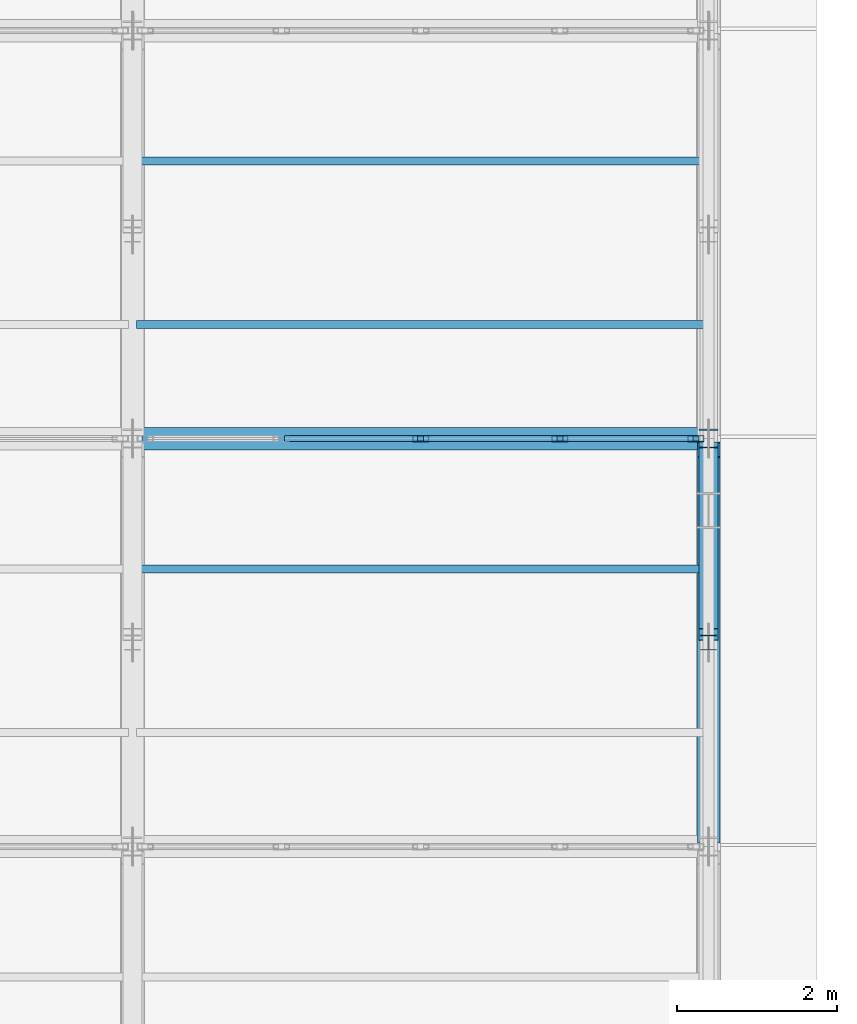
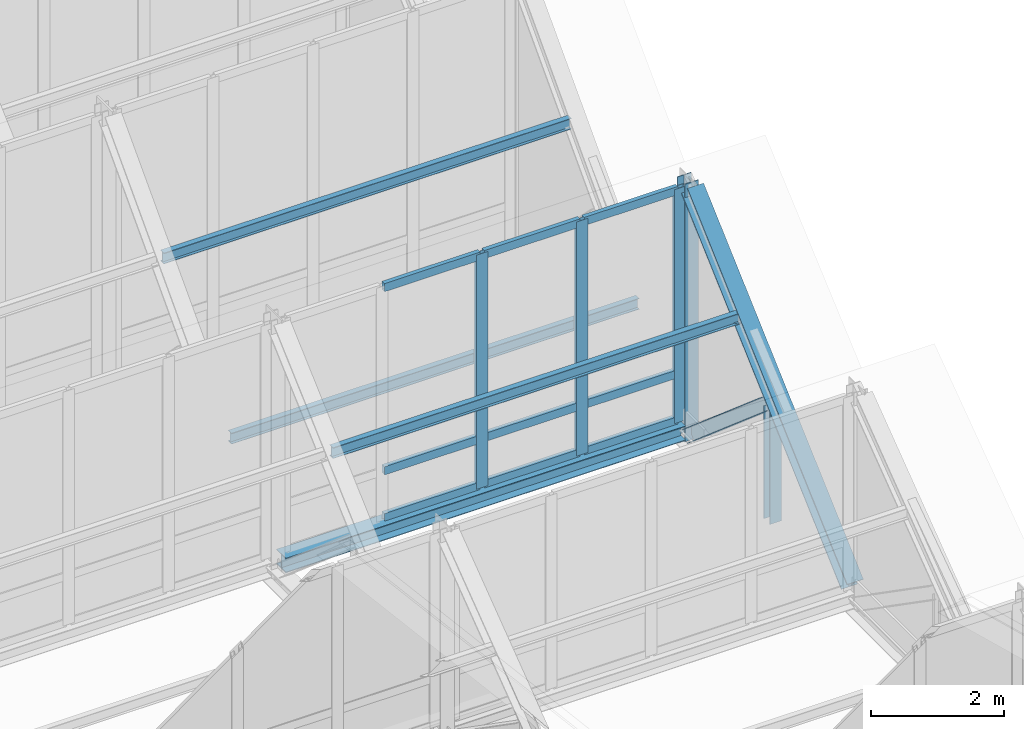
# One storey, part 65 of 157: 19 members, 1 beam, 1 element without a shape of its own.
"""IFC4 building model written with IfcOpenShell, lengths in metres."""

from ifc_helpers import new_model, si_unit, direction, frame, origin, origin_2d, place, context, subcontext, project, spatial, hollow_rectangle, i_section, extrude, material, material_profile, profile_set, type_object, element, aggregate, save


model = new_model("IFC4")

# Units and contexts
model_context = context("Model", 3, precision=1e-05, world=origin(), true_north=direction((0.0, 1.0)))
body_context = subcontext(model_context, "Body", "Model", "MODEL_VIEW")
ifc_project = project(units=[si_unit("LENGTHUNIT", "METRE"), si_unit("AREAUNIT", "SQUARE_METRE"), si_unit("VOLUMEUNIT", "CUBIC_METRE"), si_unit("PLANEANGLEUNIT", "RADIAN"), si_unit("MASSUNIT", "GRAM", prefix="KILO")], contexts=[model_context])

# Site, building, storey
site_placement = place(None, origin())
site = spatial("IfcSite", under=ifc_project, at=site_placement, CompositionType="ELEMENT")
building_placement = place(site_placement, origin())
building = spatial("IfcBuilding", under=site, at=building_placement, Name="Suanplinth Sawtooth Commons", CompositionType="ELEMENT")
storey_placement = place(building_placement, frame((0.0, 0.0, 9.0)))
storey = spatial("IfcBuildingStorey", under=building, at=storey_placement, Name="L02", CompositionType="ELEMENT", Elevation=9.0)

# Beam
ifc_material_1 = material(Name="Steel S355JR", Category="steel")
ifc_material_profile_1 = material_profile(ifc_material_1, i_section(OverallWidth=0.280029296875, OverallDepth=0.27001953125, WebThickness=0.008056640625, FlangeThickness=0.012939453125, at=origin_2d()), Name="HEA 280")
ifc_profile_set_1 = profile_set([ifc_material_profile_1], Name="Steel S355JR")
beam_type = type_object("IfcBeamType", Name="B-16", PredefinedType="USERDEFINED", material=ifc_profile_set_1)
beam_placement = place(storey_placement, frame((108.1201171875, 65.699951171875, 2.820068359375), z_axis=(1.0, 0.0, 0.0), x_axis=(0.0, 1.0, 0.0)))
element("IfcBeam", 1, at=beam_placement, inside=storey, type_object=beam_type, Name="Sawtooth Valley Girder T4-B7", ObjectType="GIRDER", PredefinedType="USERDEFINED", context=body_context, shape_type="SweptSolid", body=[
    extrude(i_section(OverallWidth=0.280029296875, OverallDepth=0.27001953125, WebThickness=0.008056640625, FlangeThickness=0.012939453125, at=origin_2d()), origin(), (0.0, 0.0, 1.0), 6.9599609375),
])

# Members
ifc_material_profile_2 = material_profile(ifc_material_1, i_section(OverallWidth=0.280029296875, OverallDepth=0.280029296875, WebThickness=0.010498046875, FlangeThickness=0.01806640625, at=origin_2d()), Name="HEB 280")
ifc_profile_set_2 = profile_set([ifc_material_profile_2], Name="Steel S355JR")
member_type_1 = type_object("IfcMemberType", Name="M-02", PredefinedType="CHORD", material=ifc_profile_set_2)
member_1_placement = place(storey_placement, frame((115.199951171875, 60.739990234375, 2.919921875), z_axis=(0.0, 0.740839311711, 0.671682301556), x_axis=(-1.0, 0.0, 0.0)))
element("IfcMember", 2, at=member_1_placement, inside=storey, type_object=member_type_1, Name="Sawtooth Truss T8 Top Chord 3", PredefinedType="CHORD", context=body_context, shape_type="SweptSolid", body=[
    extrude(i_section(OverallWidth=0.280029296875, OverallDepth=0.280029296875, WebThickness=0.010498046875, FlangeThickness=0.01806640625, at=origin_2d()), origin(), (0.0, 0.0, 1.0), 6.50634765625),
])
ifc_material_profile_3 = material_profile(ifc_material_1, i_section(OverallWidth=0.239990234375, OverallDepth=0.22998046875, WebThickness=0.007568359375, FlangeThickness=0.011962890625, at=origin_2d()), Name="HEA 240")
ifc_profile_set_3 = profile_set([ifc_material_profile_3], Name="Steel S355JR")
member_type_2 = type_object("IfcMemberType", Name="M-03", PredefinedType="BRACE", material=ifc_profile_set_3)
member_2_placement = place(storey_placement, frame((115.199951171875, 63.25, 4.7451171875), z_axis=(0.0, 0.759593581641, -0.65039802485), x_axis=(-1.0, 0.0, 0.0)))
element("IfcMember", 3, at=member_2_placement, inside=storey, type_object=member_type_2, Name="Sawtooth Truss T8 Web Diagonal 3", PredefinedType="BRACE", context=body_context, shape_type="SweptSolid", body=[
    extrude(i_section(OverallWidth=0.239990234375, OverallDepth=0.22998046875, WebThickness=0.007568359375, FlangeThickness=0.011962890625, at=origin_2d()), origin(), (0.0, 0.0, 1.0), 3.067626953125),
])
ifc_material_profile_4 = material_profile(ifc_material_1, i_section(OverallWidth=0.199951171875, OverallDepth=0.18994140625, WebThickness=0.006591796875, FlangeThickness=0.010009765625, at=origin_2d()), Name="HEA 200")
ifc_profile_set_4 = profile_set([ifc_material_profile_4], Name="Steel S355JR")
member_type_3 = type_object("IfcMemberType", Name="M-04", PredefinedType="BRACE", material=ifc_profile_set_4)
member_3_placement = place(storey_placement, frame((115.199951171875, 63.14990234375, 2.64990234375), z_axis=(0.0, 0.0, 1.0), x_axis=(1.0, 0.0, 0.0)))
element("IfcMember", 4, at=member_3_placement, inside=storey, type_object=member_type_3, Name="Sawtooth Truss T8 Mid Web Post 3", PredefinedType="BRACE", context=body_context, shape_type="SweptSolid", body=[
    extrude(i_section(OverallWidth=0.199951171875, OverallDepth=0.18994140625, WebThickness=0.006591796875, FlangeThickness=0.010009765625, at=origin_2d()), origin(), (0.0, 0.0, 1.0), 2.0751953125),
])
ifc_material_profile_5 = material_profile(ifc_material_1, i_section(OverallWidth=0.239990234375, OverallDepth=0.239990234375, WebThickness=0.010009765625, FlangeThickness=0.01708984375, at=origin_2d()), Name="HEB 240")
ifc_profile_set_5 = profile_set([ifc_material_profile_5], Name="Steel S355JR")
member_type_4 = type_object("IfcMemberType", Name="M-05", PredefinedType="POST", material=ifc_profile_set_5)
member_4_placement = place(storey_placement, frame((115.199951171875, 65.699951171875, 2.64990234375), z_axis=(0.0, 0.0, 1.0), x_axis=(1.0, 0.0, 0.0)))
element("IfcMember", 5, at=member_4_placement, inside=storey, type_object=member_type_4, Name="Sawtooth Truss T8 Clerestory Post 3", PredefinedType="POST", context=body_context, shape_type="SweptSolid", body=[
    extrude(i_section(OverallWidth=0.239990234375, OverallDepth=0.239990234375, WebThickness=0.010009765625, FlangeThickness=0.01708984375, at=origin_2d()), origin(), (0.0, 0.0, 1.0), 4.739990234375),
])
ifc_material_2 = material(Name="Steel SS400", Category="steel")
ifc_material_profile_6 = material_profile(ifc_material_2, i_section(OverallWidth=0.10009765625, OverallDepth=0.199951171875, WebThickness=0.005615234375, FlangeThickness=0.008544921875, at=origin_2d()), Name="IPE 200")
ifc_profile_set_6 = profile_set([ifc_material_profile_6], Name="Steel SS400")
member_type_5 = type_object("IfcMemberType", Name="M-06", PredefinedType="PURLIN", material=ifc_profile_set_6)
for number, where, z_axis, x_axis, name in (
    (6, (108.050048828125, 64.068115234375, 5.84716796875), (1.0, 0.0, 0.0), (0.0, 1.0, 0.0), "Sawtooth Roof Purlin T3-B7-P2"),
    (7, (108.050048828125, 67.1279296875, 4.2587890625), (1.0, 0.0, 0.0), (0.0, 1.0, 0.0), "Sawtooth Roof Purlin T4-B7-P1"),
    (8, (108.050048828125, 69.16796875, 6.3388671875), (1.0, 0.0, 0.0), (0.0, 1.0, 0.0), "Sawtooth Roof Purlin T4-B7-P2"),
):
    element("IfcMember", number, at=place(storey_placement, frame(where, z_axis=z_axis, x_axis=x_axis)), inside=storey, type_object=member_type_5, Name=name, PredefinedType="PURLIN", context=body_context, shape_type="SweptSolid", body=[
        extrude(i_section(OverallWidth=0.10009765625, OverallDepth=0.199951171875, WebThickness=0.005615234375, FlangeThickness=0.008544921875, at=origin_2d()), origin(), (0.0, 0.0, 1.0), 7.099853515625),
    ])

# Curtain wall, members
ifc_material_3 = material(Name="Anodized aluminium and low-E glazing", Category="aluminium")
curtain_wall_type = type_object("IfcCurtainWallType", Name="CW-03", PredefinedType="USERDEFINED", material=ifc_material_3)
curtain_wall_placement = place(storey_placement, origin())
curtain_wall = element("IfcCurtainWall", 9, at=curtain_wall_placement, inside=storey, type_object=curtain_wall_type, Name="Curtain Wall CW-SAW-T3-B7", ObjectType="CURTAIN WALL", PredefinedType="USERDEFINED")
ifc_material_4 = material(Name="Anodized aluminium 6063-T6", Category="aluminium")
ifc_material_profile_7 = material_profile(ifc_material_4, hollow_rectangle(XDim=0.074951171875, YDim=0.199951171875, WallThickness=0.0048828125, at=origin_2d()), Name="ALU-MUL 75x200")
ifc_profile_set_7 = profile_set([ifc_material_profile_7], Name="Anodized aluminium 6063-T6")
member_type_6 = type_object("IfcMemberType", Name="M-14", PredefinedType="MULLION", material=ifc_profile_set_7)
member_5_placement = place(storey_placement, frame((111.60009765625, 65.699951171875, 2.97998046875), z_axis=(0.0, 0.0, 1.0), x_axis=(0.0, 1.0, 0.0)))
member_5 = element("IfcMember", 10, at=member_5_placement, type_object=member_type_6, Name="CW-03 mullion 3", PredefinedType="MULLION", context=body_context, shape_type="SweptSolid", body=[
    extrude(hollow_rectangle(XDim=0.074951171875, YDim=0.199951171875, WallThickness=0.0048828125, at=origin_2d()), origin(), (0.0, 0.0, 1.0), 4.31005859375),
])
member_6_placement = place(storey_placement, frame((113.340087890625, 65.699951171875, 2.97998046875), z_axis=(0.0, 0.0, 1.0), x_axis=(0.0, 1.0, 0.0)))
member_6 = element("IfcMember", 11, at=member_6_placement, type_object=member_type_6, Name="CW-03 mullion 4", PredefinedType="MULLION", context=body_context, shape_type="SweptSolid", body=[
    extrude(hollow_rectangle(XDim=0.074951171875, YDim=0.199951171875, WallThickness=0.0048828125, at=origin_2d()), origin(), (0.0, 0.0, 1.0), 4.31005859375),
])
member_7_placement = place(storey_placement, frame((115.04248046875, 65.699951171875, 2.97998046875), z_axis=(0.0, 0.0, 1.0), x_axis=(0.0, 1.0, 0.0)))
member_7 = element("IfcMember", 12, at=member_7_placement, type_object=member_type_6, Name="CW-03 mullion 5", PredefinedType="MULLION", context=body_context, shape_type="SweptSolid", body=[
    extrude(hollow_rectangle(XDim=0.074951171875, YDim=0.199951171875, WallThickness=0.0048828125, at=origin_2d()), origin(), (0.0, 0.0, 1.0), 4.31005859375),
])
ifc_material_profile_8 = material_profile(ifc_material_4, hollow_rectangle(XDim=0.074951171875, YDim=0.14990234375, WallThickness=0.00439453125, at=origin_2d()), Name="ALU-TRN 75x150")
ifc_profile_set_8 = profile_set([ifc_material_profile_8], Name="Anodized aluminium 6063-T6")
member_type_7 = type_object("IfcMemberType", Name="M-16", PredefinedType="USERDEFINED", material=ifc_profile_set_8)
member_8_placement = place(storey_placement, frame((109.8974609375, 65.699951171875, 3.017578125), z_axis=(1.0, 0.0, 0.0), x_axis=(0.0, 1.0, 0.0)))
member_8 = element("IfcMember", 13, at=member_8_placement, type_object=member_type_7, Name="CW-03 transom 2.1", ObjectType="TRANSOM", PredefinedType="USERDEFINED", context=body_context, shape_type="SweptSolid", body=[
    extrude(hollow_rectangle(XDim=0.074951171875, YDim=0.14990234375, WallThickness=0.00439453125, at=origin_2d()), origin(), (0.0, 0.0, 1.0), 1.6650390625),
])
member_9_placement = place(storey_placement, frame((109.8974609375, 65.699951171875, 3.8798828125), z_axis=(1.0, 0.0, 0.0), x_axis=(0.0, 1.0, 0.0)))
member_9 = element("IfcMember", 14, at=member_9_placement, type_object=member_type_7, Name="CW-03 transom 2.2", ObjectType="TRANSOM", PredefinedType="USERDEFINED", context=body_context, shape_type="SweptSolid", body=[
    extrude(hollow_rectangle(XDim=0.074951171875, YDim=0.14990234375, WallThickness=0.00439453125, at=origin_2d()), origin(), (0.0, 0.0, 1.0), 1.6650390625),
])
member_10_placement = place(storey_placement, frame((109.8974609375, 65.699951171875, 7.25244140625), z_axis=(1.0, 0.0, 0.0), x_axis=(0.0, 1.0, 0.0)))
member_10 = element("IfcMember", 15, at=member_10_placement, type_object=member_type_7, Name="CW-03 transom 2.3", ObjectType="TRANSOM", PredefinedType="USERDEFINED", context=body_context, shape_type="SweptSolid", body=[
    extrude(hollow_rectangle(XDim=0.074951171875, YDim=0.14990234375, WallThickness=0.00439453125, at=origin_2d()), origin(), (0.0, 0.0, 1.0), 1.6650390625),
])
member_11_placement = place(storey_placement, frame((111.637451171875, 65.699951171875, 3.017578125), z_axis=(1.0, 0.0, 0.0), x_axis=(0.0, 1.0, 0.0)))
member_11 = element("IfcMember", 16, at=member_11_placement, type_object=member_type_7, Name="CW-03 transom 3.1", ObjectType="TRANSOM", PredefinedType="USERDEFINED", context=body_context, shape_type="SweptSolid", body=[
    extrude(hollow_rectangle(XDim=0.074951171875, YDim=0.14990234375, WallThickness=0.00439453125, at=origin_2d()), origin(), (0.0, 0.0, 1.0), 1.6650390625),
])
member_12_placement = place(storey_placement, frame((111.637451171875, 65.699951171875, 3.8798828125), z_axis=(1.0, 0.0, 0.0), x_axis=(0.0, 1.0, 0.0)))
member_12 = element("IfcMember", 17, at=member_12_placement, type_object=member_type_7, Name="CW-03 transom 3.2", ObjectType="TRANSOM", PredefinedType="USERDEFINED", context=body_context, shape_type="SweptSolid", body=[
    extrude(hollow_rectangle(XDim=0.074951171875, YDim=0.14990234375, WallThickness=0.00439453125, at=origin_2d()), origin(), (0.0, 0.0, 1.0), 1.6650390625),
])
member_13_placement = place(storey_placement, frame((111.637451171875, 65.699951171875, 7.25244140625), z_axis=(1.0, 0.0, 0.0), x_axis=(0.0, 1.0, 0.0)))
member_13 = element("IfcMember", 18, at=member_13_placement, type_object=member_type_7, Name="CW-03 transom 3.3", ObjectType="TRANSOM", PredefinedType="USERDEFINED", context=body_context, shape_type="SweptSolid", body=[
    extrude(hollow_rectangle(XDim=0.074951171875, YDim=0.14990234375, WallThickness=0.00439453125, at=origin_2d()), origin(), (0.0, 0.0, 1.0), 1.6650390625),
])
member_14_placement = place(storey_placement, frame((113.37744140625, 65.699951171875, 3.017578125), z_axis=(1.0, 0.0, 0.0), x_axis=(0.0, 1.0, 0.0)))
member_14 = element("IfcMember", 19, at=member_14_placement, type_object=member_type_7, Name="CW-03 transom 4.1", ObjectType="TRANSOM", PredefinedType="USERDEFINED", context=body_context, shape_type="SweptSolid", body=[
    extrude(hollow_rectangle(XDim=0.074951171875, YDim=0.14990234375, WallThickness=0.00439453125, at=origin_2d()), origin(), (0.0, 0.0, 1.0), 1.62744140625),
])
member_15_placement = place(storey_placement, frame((113.37744140625, 65.699951171875, 3.8798828125), z_axis=(1.0, 0.0, 0.0), x_axis=(0.0, 1.0, 0.0)))
member_15 = element("IfcMember", 20, at=member_15_placement, type_object=member_type_7, Name="CW-03 transom 4.2", ObjectType="TRANSOM", PredefinedType="USERDEFINED", context=body_context, shape_type="SweptSolid", body=[
    extrude(hollow_rectangle(XDim=0.074951171875, YDim=0.14990234375, WallThickness=0.00439453125, at=origin_2d()), origin(), (0.0, 0.0, 1.0), 1.62744140625),
])
member_16_placement = place(storey_placement, frame((113.37744140625, 65.699951171875, 7.25244140625), z_axis=(1.0, 0.0, 0.0), x_axis=(0.0, 1.0, 0.0)))
member_16 = element("IfcMember", 21, at=member_16_placement, type_object=member_type_7, Name="CW-03 transom 4.3", ObjectType="TRANSOM", PredefinedType="USERDEFINED", context=body_context, shape_type="SweptSolid", body=[
    extrude(hollow_rectangle(XDim=0.074951171875, YDim=0.14990234375, WallThickness=0.00439453125, at=origin_2d()), origin(), (0.0, 0.0, 1.0), 1.62744140625),
])
aggregate(curtain_wall, [member_5, member_6, member_7, member_8, member_9, member_10, member_11, member_12, member_13, member_14, member_15, member_16])

save(model, "model.ifc")
